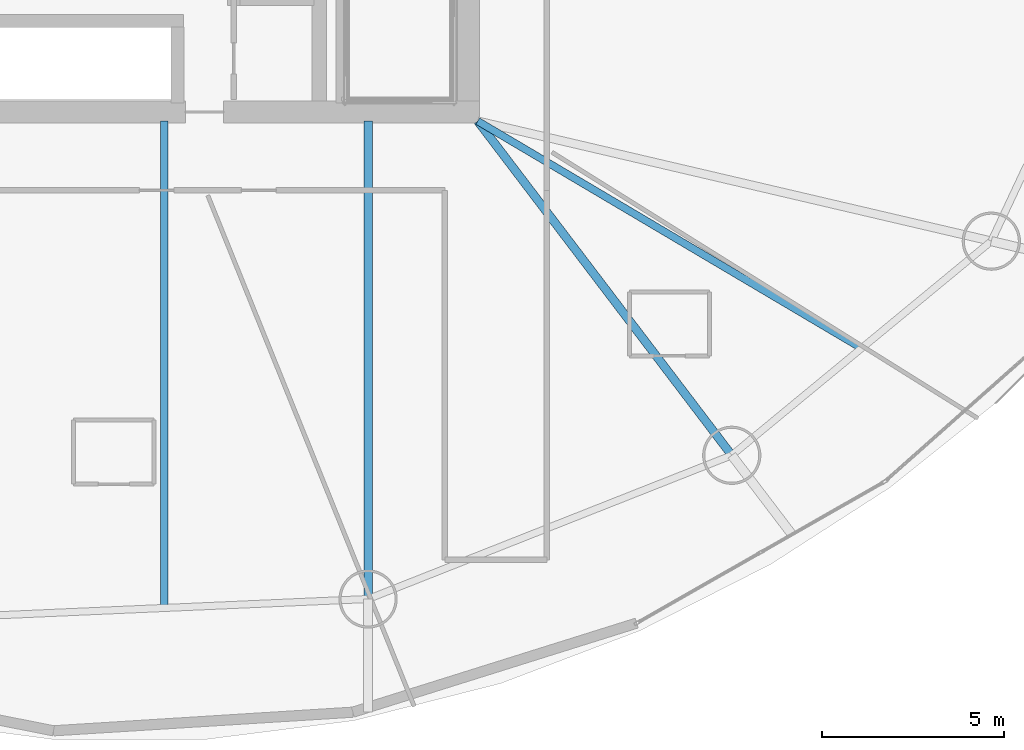
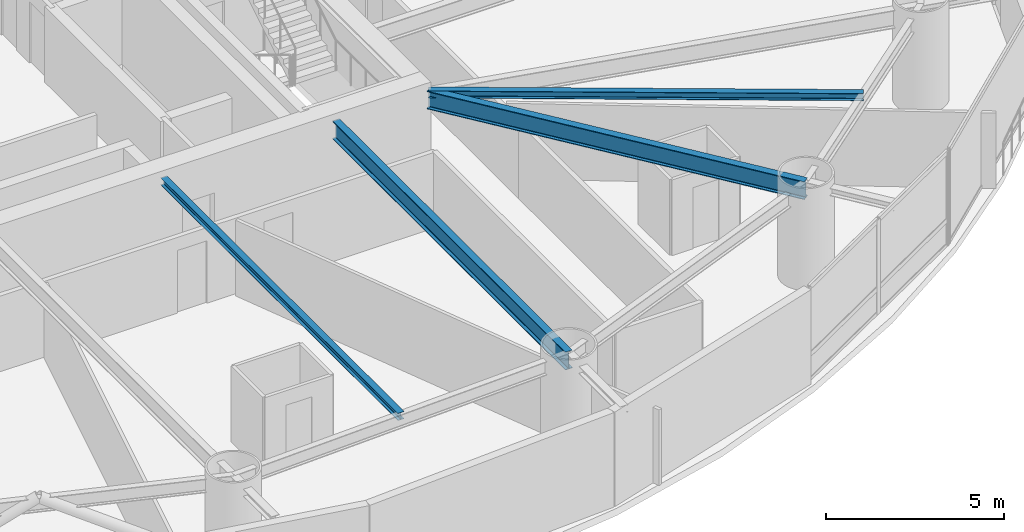
# One storey, part 5 of 26: 4 beams.
"""IFC4 building model written with IfcOpenShell, lengths in metres."""

from ifc_helpers import new_model, si_unit, direction, frame, origin, origin_2d, place, context, subcontext, project, spatial, i_section, extrude, material, material_profile, profile_set, type_object, element, save


model = new_model("IFC4")

# Units and contexts
model_context = context("Model", 3, precision=1e-05, world=origin(), true_north=direction((0.0, 1.0)))
body_context = subcontext(model_context, "Body", "Model", "MODEL_VIEW")
ifc_project = project(units=[si_unit("LENGTHUNIT", "METRE"), si_unit("AREAUNIT", "SQUARE_METRE"), si_unit("VOLUMEUNIT", "CUBIC_METRE"), si_unit("PLANEANGLEUNIT", "RADIAN"), si_unit("MASSUNIT", "GRAM", prefix="KILO")], contexts=[model_context])

# Site, building, storey
site_placement = place(None, origin())
site = spatial("IfcSite", under=ifc_project, at=site_placement, CompositionType="ELEMENT")
building_placement = place(site_placement, origin())
building = spatial("IfcBuilding", under=site, at=building_placement, Name="Bramvorn Convention Spire", CompositionType="ELEMENT")
storey_placement = place(building_placement, frame((0.0, 0.0, 51.89990234375)))
storey = spatial("IfcBuildingStorey", under=building, at=storey_placement, Name="L10", CompositionType="ELEMENT", Elevation=51.89990234375)

# Beams
ifc_material = material(Name="Steel CSA G40.21 Grade 350 (350W)", Category="steel")
ifc_material_profile_1 = material_profile(ifc_material, i_section(OverallWidth=0.201904296875, OverallDepth=0.2470703125, WebThickness=0.00732421875, FlangeThickness=0.010986328125, FilletRadius=0.011962890625, at=origin_2d()))
ifc_profile_set_1 = profile_set([ifc_material_profile_1], Name="Steel CSA G40.21 Grade 350 (350W) - W250X49")
beam_type_1 = type_object("IfcBeamType", Name="BM-W250X49", PredefinedType="JOIST", material=ifc_profile_set_1)
beam_1_placement = place(storey_placement, frame((40.638427734375, 18.550048828125, 3.126708984375), z_axis=(0.0, -1.0, 0.0), x_axis=(1.0, 0.0, 0.0)))
element("IfcBeam", 1, at=beam_1_placement, inside=storey, type_object=beam_type_1, Name="L10 composite floor joist 13", PredefinedType="JOIST", context=body_context, shape_type="SweptSolid", body=[
    extrude(i_section(OverallWidth=0.201904296875, OverallDepth=0.2470703125, WebThickness=0.00732421875, FlangeThickness=0.010986328125, FilletRadius=0.011962890625, at=origin_2d()), origin(), (0.0, 0.0, 1.0), 13.372802734375),
])
beam_2_placement = place(storey_placement, frame((49.25, 18.550048828125, 3.126708984375), z_axis=(0.860664556648, -0.509172388223, 0.0), x_axis=(0.509172388223, 0.860664556648, 0.0)))
element("IfcBeam", 2, at=beam_2_placement, inside=storey, type_object=beam_type_1, Name="L10 composite floor joist 15", PredefinedType="JOIST", context=body_context, shape_type="SweptSolid", body=[
    extrude(i_section(OverallWidth=0.201904296875, OverallDepth=0.2470703125, WebThickness=0.00732421875, FlangeThickness=0.010986328125, FilletRadius=0.011962890625, at=origin_2d()), origin(), (0.0, 0.0, 1.0), 12.25048828125),
])
ifc_material_profile_2 = material_profile(ifc_material, i_section(OverallWidth=0.22998046875, OverallDepth=0.616943359375, WebThickness=0.01318359375, FlangeThickness=0.022216796875, FilletRadius=0.02001953125, at=origin_2d()))
ifc_profile_set_2 = profile_set([ifc_material_profile_2], Name="Steel CSA G40.21 Grade 350 (350W) - W610X140")
beam_type_2 = type_object("IfcBeamType", Name="BM-W610X140", PredefinedType="BEAM", material=ifc_profile_set_2)
beam_3_placement = place(storey_placement, frame((46.23779296875, 18.550048828125, 2.941650390625), z_axis=(0.0, -1.0, 0.0), x_axis=(1.0, 0.0, 0.0)))
element("IfcBeam", 3, at=beam_3_placement, inside=storey, type_object=beam_type_2, Name="L10 radial floor girder MC14", PredefinedType="BEAM", context=body_context, shape_type="SweptSolid", body=[
    extrude(i_section(OverallWidth=0.22998046875, OverallDepth=0.616943359375, WebThickness=0.01318359375, FlangeThickness=0.022216796875, FilletRadius=0.02001953125, at=origin_2d()), origin(), (0.0, 0.0, 1.0), 13.126708984375),
])
beam_4_placement = place(storey_placement, frame((49.25, 18.550048828125, 2.941650390625), z_axis=(0.605191175112, -0.796080172826, 0.0), x_axis=(0.796080172826, 0.605191175112, 0.0)))
element("IfcBeam", 4, at=beam_4_placement, inside=storey, type_object=beam_type_2, Name="L10 radial floor girder MC15", PredefinedType="BEAM", context=body_context, shape_type="SweptSolid", body=[
    extrude(i_section(OverallWidth=0.22998046875, OverallDepth=0.616943359375, WebThickness=0.01318359375, FlangeThickness=0.022216796875, FilletRadius=0.02001953125, at=origin_2d()), origin(), (0.0, 0.0, 1.0), 11.52978515625),
])

save(model, "model.ifc")
